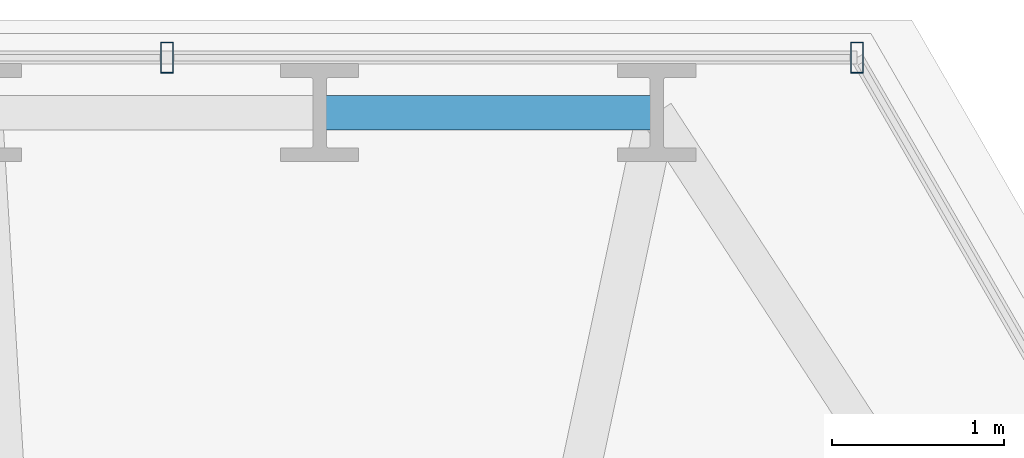
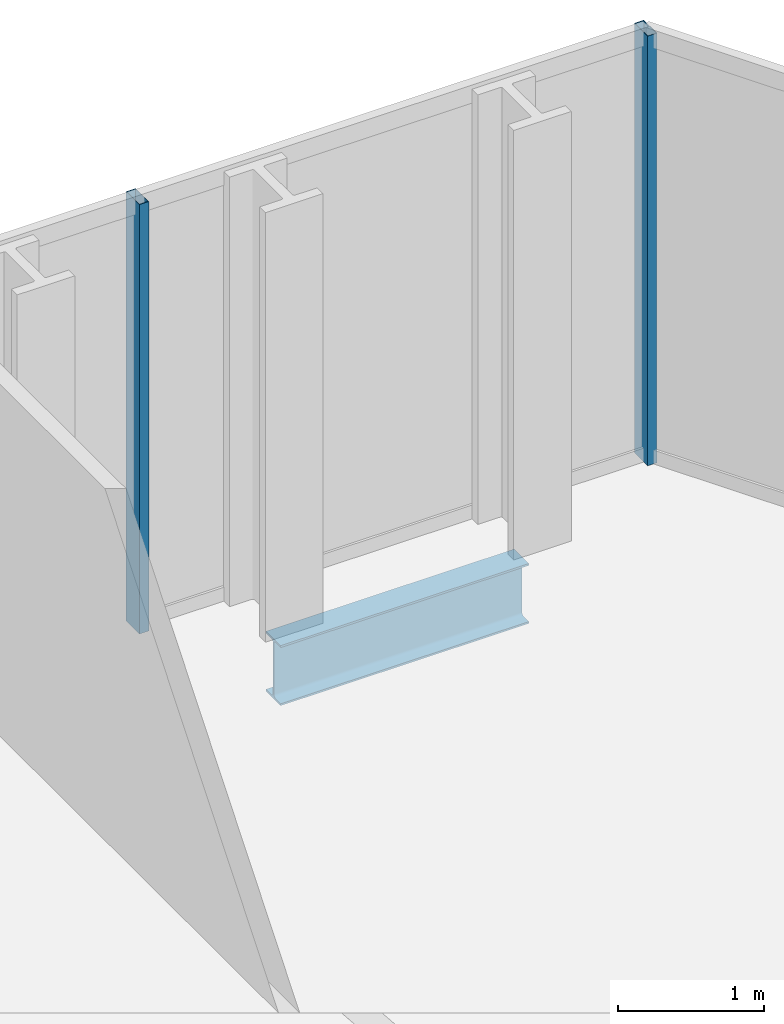
# One storey, part 24 of 32: 2 members, 1 beam, 1 element without a shape of its own.
"""IFC4 building model written with IfcOpenShell, lengths in metres."""

from ifc_helpers import new_model, si_unit, direction, frame, origin, origin_2d, place, context, subcontext, project, spatial, hollow_rectangle, i_section, extrude, material, layer, layer_set, material_profile, profile_set, type_object, element, aggregate, save


model = new_model("IFC4")

# Units and contexts
model_context = context("Model", 3, precision=1e-05, world=origin(), true_north=direction((0.0, 1.0)))
body_context = subcontext(model_context, "Body", "Model", "MODEL_VIEW")
ifc_project = project(units=[si_unit("LENGTHUNIT", "METRE"), si_unit("AREAUNIT", "SQUARE_METRE"), si_unit("VOLUMEUNIT", "CUBIC_METRE"), si_unit("PLANEANGLEUNIT", "RADIAN"), si_unit("MASSUNIT", "GRAM", prefix="KILO")], contexts=[model_context])

# Site, building, storey
site_placement = place(None, origin())
site = spatial("IfcSite", under=ifc_project, at=site_placement, CompositionType="ELEMENT")
building_placement = place(site_placement, origin())
building = spatial("IfcBuilding", under=site, at=building_placement, Name="Ndaravel Arena Tower", CompositionType="ELEMENT")
storey_placement = place(building_placement, frame((0.0, 0.0, 47.39990234375)))
storey = spatial("IfcBuildingStorey", under=building, at=storey_placement, Name="L09", CompositionType="ELEMENT", Elevation=47.39990234375)

# Beam
ifc_material_1 = material(Name="Steel S355", Category="steel")
ifc_material_profile_1 = material_profile(ifc_material_1, i_section(OverallWidth=0.199951171875, OverallDepth=0.5, WebThickness=0.01025390625, FlangeThickness=0.01611328125, FilletRadius=0.02099609375, at=origin_2d()), Name="IPE 500")
ifc_profile_set_1 = profile_set([ifc_material_profile_1], Name="Steel S355")
beam_type = type_object("IfcBeamType", Name="BM-SPAN-IPE500", PredefinedType="SPANDREL", material=ifc_profile_set_1)
beam_placement = place(storey_placement, frame((48.85009765625, 45.531494140625, -0.469970703125), z_axis=(-1.0, 0.0, 0.0), x_axis=(0.0, -1.0, 0.0)))
element("IfcBeam", 1, at=beam_placement, inside=storey, type_object=beam_type, Name="L09 Perimeter Spandrel Beam SP-11", PredefinedType="SPANDREL", context=body_context, shape_type="SweptSolid", body=[
    extrude(i_section(OverallWidth=0.199951171875, OverallDepth=0.5, WebThickness=0.01025390625, FlangeThickness=0.01611328125, FilletRadius=0.02099609375, at=origin_2d()), origin(), (0.0, 0.0, 1.0), 1.957275390625),
])

# Curtain wall, members
ifc_material_2 = material(Name="Aluminium", Category="aluminium")
ifc_layer = layer(ifc_material_2, 0.179931640625)
ifc_layer_set = layer_set([ifc_layer], Name="Aluminium")
curtain_wall_type = type_object("IfcCurtainWallType", Name="CW-SYS-01", PredefinedType="NOTDEFINED", material=ifc_layer_set)
curtain_wall_placement = place(storey_placement, origin())
curtain_wall = element("IfcCurtainWall", 2, at=curtain_wall_placement, inside=storey, type_object=curtain_wall_type, Name="L09 Faceted Crystal Curtain Wall CW-L09-E04", PredefinedType="NOTDEFINED")
ifc_material_3 = material(Name="Aluminium", Category="aluminium")
ifc_material_profile_2 = material_profile(ifc_material_3, hollow_rectangle(XDim=0.074951171875, YDim=0.179931640625, WallThickness=0.00390625, at=origin_2d()), Name="CW MULLION 75x180x4")
ifc_profile_set_2 = profile_set([ifc_material_profile_2], Name="Aluminium")
member_type = type_object("IfcMemberType", Name="MEM-CW-MUL180", PredefinedType="MULLION", material=ifc_profile_set_2)
member_1_placement = place(storey_placement, frame((50.01318359375, 45.851318359375, 0.0), z_axis=(0.0, 0.0, 1.0), x_axis=(-1.0, 0.0, 0.0)))
member_1 = element("IfcMember", 3, at=member_1_placement, type_object=member_type, Name="CW-L09-E04 Mullion 00", PredefinedType="MULLION", context=body_context, shape_type="SweptSolid", body=[
    extrude(hollow_rectangle(XDim=0.074951171875, YDim=0.179931640625, WallThickness=0.00390625, at=origin_2d()), origin(), (0.0, 0.0, 1.0), 3.580078125),
])
member_2_placement = place(storey_placement, frame((46.006591796875, 45.851318359375, 0.0), z_axis=(0.0, 0.0, 1.0), x_axis=(-1.0, 0.0, 0.0)))
member_2 = element("IfcMember", 4, at=member_2_placement, type_object=member_type, Name="CW-L09-E04 Mullion 01", PredefinedType="MULLION", context=body_context, shape_type="SweptSolid", body=[
    extrude(hollow_rectangle(XDim=0.074951171875, YDim=0.179931640625, WallThickness=0.00390625, at=origin_2d()), origin(), (0.0, 0.0, 1.0), 3.580078125),
])
aggregate(curtain_wall, [member_1, member_2])

save(model, "model.ifc")
